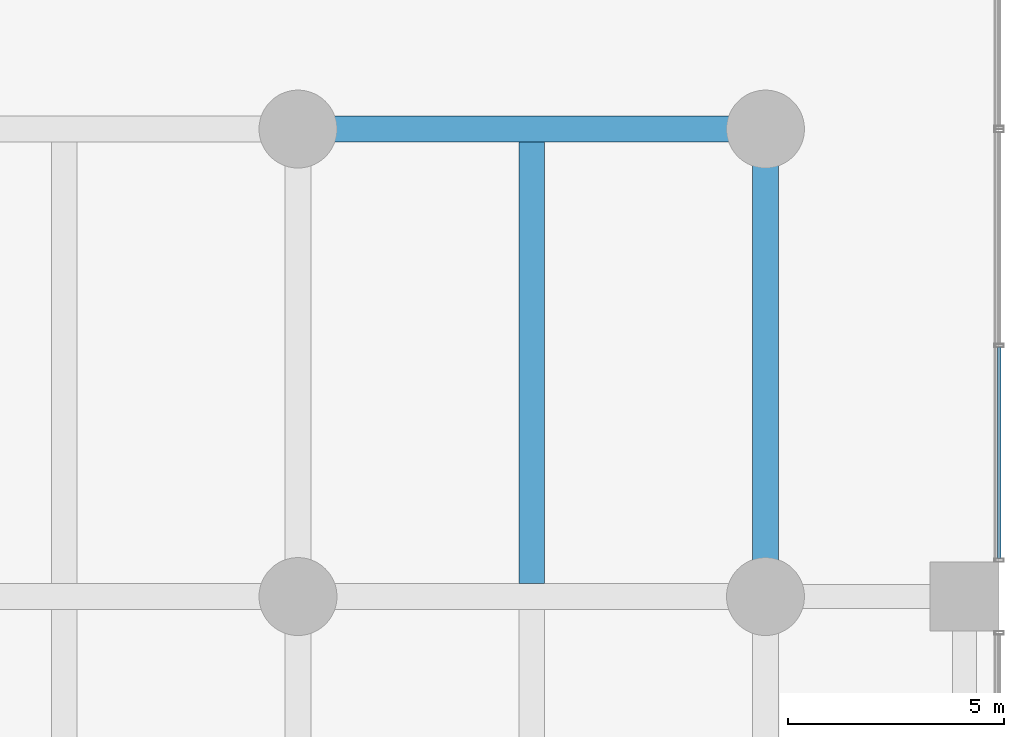
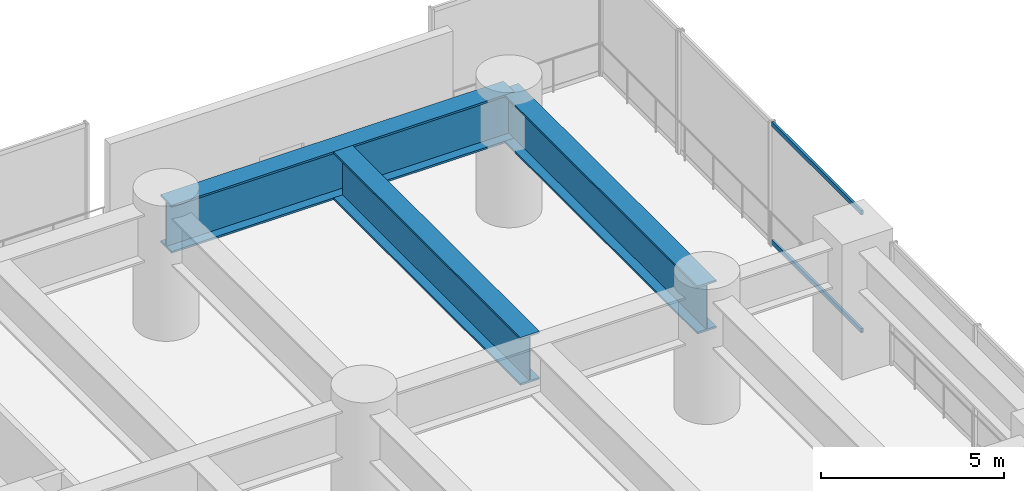
# One storey, part 24 of 37: 3 beams, 2 members, 1 element without a shape of its own.
"""IFC4 building model written with IfcOpenShell, lengths in metres."""

import ifcopenshell
import ifcopenshell.guid

model = None  # the IFC model being written
_history = None  # IfcOwnerHistory: only IFC2X3 demands one
_inside = {}  # id of a spatial element -> (the spatial element, [elements in it])
_under = {}  # id of a project, library or spatial element -> (it, [spatial elements below it])
_declared = {}  # id of a project -> (the project, [libraries it declares])
_typed = {}  # id of a type object -> (the type object, [elements of that type])
_made_of = {}  # id of a material, layer set ... -> (it, [elements and type objects made of it])


def new_model(schema):
    """Start an empty IFC model of exactly this schema.

    Asked for "IFC4X3", IfcOpenShell would pick the latest addendum, in which some entities
    have other attributes; the version numbers below select the first issue.
    IFC2X3 requires an IfcOwnerHistory on every rooted entity: one is made here for all.
    """
    global model, _history
    if schema == "IFC4X3":
        model = ifcopenshell.file(schema_version=(4, 3, 0, 0))
    else:
        model = ifcopenshell.file(schema=schema)
    _inside.clear()
    _under.clear()
    _declared.clear()
    _typed.clear()
    _made_of.clear()
    _history = None
    if model.schema == "IFC2X3":
        org = make("IfcOrganization", Name="unknown")
        user = make(
            "IfcPersonAndOrganization",
            ThePerson=make("IfcPerson", FamilyName="unknown"),
            TheOrganization=org,
        )
        app = make(
            "IfcApplication",
            ApplicationDeveloper=org,
            Version="unknown",
            ApplicationFullName="unknown",
            ApplicationIdentifier="unknown",
        )
        _history = make(
            "IfcOwnerHistory",
            OwningUser=user,
            OwningApplication=app,
            ChangeAction="ADDED",
            CreationDate=0,
        )
    return model


def make(cls, **values):
    """One entity of the class cls with the attributes given. An attribute that is None is left unset."""
    return model.create_entity(
        cls, **{name: value for name, value in values.items() if value is not None}
    )


def rooted(cls, **values):
    """An entity with a GlobalId (a new one), such as an element, a storey or a relation."""
    return make(cls, GlobalId=ifcopenshell.guid.new(), OwnerHistory=_history, **values)


def si_unit(unit_type, name, prefix=None):
    """IfcSIUnit, for example si_unit("LENGTHUNIT", "METRE", prefix="MILLI")."""
    return make("IfcSIUnit", UnitType=unit_type, Prefix=prefix, Name=name)


def assignment(units):
    """IfcUnitAssignment: the units of a project."""
    return None if units is None else make("IfcUnitAssignment", Units=units)


def point(xyz):
    """IfcCartesianPoint."""
    return None if xyz is None else make("IfcCartesianPoint", Coordinates=xyz)


def direction(xyz):
    """IfcDirection."""
    return None if xyz is None else make("IfcDirection", DirectionRatios=xyz)


def frame(location, z_axis=None, x_axis=None):
    """IfcAxis2Placement3D, a coordinate frame: its origin and axes. An axis left out is left unset."""
    return make(
        "IfcAxis2Placement3D",
        Location=point(location),
        Axis=direction(z_axis),
        RefDirection=direction(x_axis),
    )


def frame_2d(location, x_axis=None):
    """IfcAxis2Placement2D, a coordinate frame in the plane: its origin and x axis."""
    return make(
        "IfcAxis2Placement2D", Location=point(location), RefDirection=direction(x_axis)
    )


def origin():
    """The frame at (0, 0, 0) with its axes left unset."""
    return frame((0.0, 0.0, 0.0))


def origin_2d():
    """The frame at (0, 0) in the plane with its x axis left unset."""
    return frame_2d((0.0, 0.0))


def place(relative_to, where):
    """IfcLocalPlacement: puts the frame where relative to a parent placement (None: the world)."""
    return make(
        "IfcLocalPlacement", PlacementRelTo=relative_to, RelativePlacement=where
    )


def context(
    kind, dimensions, precision=None, world=None, true_north=None, identifier=None
):
    """IfcGeometricRepresentationContext, for example the 3D "Model" context."""
    return make(
        "IfcGeometricRepresentationContext",
        ContextIdentifier=identifier,
        ContextType=kind,
        CoordinateSpaceDimension=dimensions,
        Precision=precision,
        WorldCoordinateSystem=world,
        TrueNorth=true_north,
    )


def subcontext(parent, identifier, kind, view, scale=None):
    """IfcGeometricRepresentationSubContext, for example "Body" below "Model"."""
    return make(
        "IfcGeometricRepresentationSubContext",
        ContextIdentifier=identifier,
        ContextType=kind,
        ParentContext=parent,
        TargetScale=scale,
        TargetView=view,
    )


def project(units=None, contexts=None):
    """IfcProject with its units and contexts."""
    return rooted(
        "IfcProject",
        Name="project",
        RepresentationContexts=contexts,
        UnitsInContext=assignment(units),
    )


def spatial(cls, under=None, at=None, **own):
    """A site, building, storey or space (cls), placed at a placement, below another one or the project."""
    s = rooted(cls, ObjectPlacement=at, **own)
    if under is not None:
        _under.setdefault(under.id(), (under, []))[1].append(s)
    return s


def profile(cls, at=None, kind="AREA", **sizes):
    """A parametric profile (cls). Its sizes go by their IFC names, for example OverallWidth=200.0."""
    return make(cls, ProfileType=kind, Position=at, **sizes)


def hollow_rectangle(**sizes):
    """IfcRectangleHollowProfileDef."""
    return profile("IfcRectangleHollowProfileDef", **sizes)


def i_section(**sizes):
    """IfcIShapeProfileDef."""
    return profile("IfcIShapeProfileDef", **sizes)


def extrude(swept, where, along, depth):
    """IfcExtrudedAreaSolid: the profile swept, set in the frame where, extruded along a direction by depth."""
    return make(
        "IfcExtrudedAreaSolid",
        SweptArea=swept,
        Position=where,
        ExtrudedDirection=direction(along),
        Depth=depth,
    )


def shape(context_of_items, identifier, shape_type, items):
    """IfcShapeRepresentation: the items that make up one representation, for example the "Body"."""
    return make(
        "IfcShapeRepresentation",
        ContextOfItems=context_of_items,
        RepresentationIdentifier=identifier,
        RepresentationType=shape_type,
        Items=items,
    )


def material(Name=None, Category=None):
    """IfcMaterial."""
    return make("IfcMaterial", Name=Name, Category=Category)


def layer(
    of_material, thickness, ventilated=None, Name=None, Category=None, Priority=None
):
    """IfcMaterialLayer: one layer of a wall or slab, of a material (None: an air gap)."""
    return make(
        "IfcMaterialLayer",
        Material=of_material,
        LayerThickness=thickness,
        IsVentilated=ventilated,
        Name=Name,
        Category=Category,
        Priority=Priority,
    )


def layer_set(layers, Name=None):
    """IfcMaterialLayerSet."""
    return make("IfcMaterialLayerSet", MaterialLayers=layers, LayerSetName=Name)


def material_profile(
    of_material, cross_section, Name=None, Category=None, Priority=None
):
    """IfcMaterialProfile: a cross section and its material."""
    return make(
        "IfcMaterialProfile",
        Name=Name,
        Material=of_material,
        Profile=cross_section,
        Priority=Priority,
        Category=Category,
    )


def profile_set(profiles, Name=None, composite=None):
    """IfcMaterialProfileSet."""
    return make(
        "IfcMaterialProfileSet",
        Name=Name,
        MaterialProfiles=profiles,
        CompositeProfile=composite,
    )


def made_of(thing, what):
    """Note that an element or type object is made of a material, layer set ...; save() writes the relation."""
    if what is not None:
        _made_of.setdefault(what.id(), (what, []))[1].append(thing)
    return thing


def type_object(cls, material=None, **own):
    """A type object (cls), such as IfcWallType, which elements share."""
    return made_of(rooted(cls, **own), material)


def element(
    cls,
    number,
    at=None,
    inside=None,
    cuts=None,
    type_object=None,
    material=None,
    context=None,
    identifier="Body",
    shape_type=None,
    held_by="IfcProductDefinitionShape",
    body=None,
    shapes=None,
    **own,
):
    """One element of the class cls, such as IfcWall. Its Tag is "e" and its number.

    at: its placement. inside: the storey or other place that contains it. cuts: it is an
    opening in that element (IfcRelVoidsElement). A single representation is given by context,
    identifier, shape_type and body (its items); several are given by shapes. held_by: the class
    of the entity that holds the representations. save() writes the other relations.
    """
    e = rooted(cls, Tag="e%d" % number, ObjectPlacement=at, **own)
    if body is not None:
        shapes = [shape(context, identifier, shape_type, body)]
    if shapes is not None:
        e.Representation = make(held_by, Representations=shapes)
    if inside is not None:
        _inside.setdefault(inside.id(), (inside, []))[1].append(e)
    if cuts is not None:
        rooted(
            "IfcRelVoidsElement", RelatingBuildingElement=cuts, RelatedOpeningElement=e
        )
    if type_object is not None:
        _typed.setdefault(type_object.id(), (type_object, []))[1].append(e)
    return made_of(e, material)


def aggregate(whole, parts):
    """IfcRelAggregates: a whole, such as a stair, and the parts it consists of."""
    return rooted("IfcRelAggregates", RelatingObject=whole, RelatedObjects=parts)


def save(model, path):
    """Write the relations noted so far, then the file.

    IfcRelAggregates (storeys below a building ...), IfcRelContainedInSpatialStructure (elements
    in a storey), IfcRelDefinesByType, IfcRelAssociatesMaterial and IfcRelDeclares: one each for
    every whole, place, type object, material and project.
    """
    for whole, parts in _under.values():
        aggregate(whole, parts)
    for where, things in _inside.values():
        rooted(
            "IfcRelContainedInSpatialStructure",
            RelatedElements=things,
            RelatingStructure=where,
        )
    for kind, things in _typed.values():
        rooted("IfcRelDefinesByType", RelatedObjects=things, RelatingType=kind)
    for what, things in _made_of.values():
        rooted("IfcRelAssociatesMaterial", RelatedObjects=things, RelatingMaterial=what)
    for by, libraries in _declared.values():
        rooted("IfcRelDeclares", RelatingContext=by, RelatedDefinitions=libraries)
    model.write(path)


model = new_model("IFC4")

# Units and contexts
model_context = context("Model", 3, precision=1e-05, world=origin(), true_north=direction((0.0, 1.0)))
body_context = subcontext(model_context, "Body", "Model", "MODEL_VIEW")
ifc_project = project(units=[si_unit("LENGTHUNIT", "METRE"), si_unit("AREAUNIT", "SQUARE_METRE"), si_unit("VOLUMEUNIT", "CUBIC_METRE"), si_unit("PLANEANGLEUNIT", "RADIAN"), si_unit("MASSUNIT", "GRAM", prefix="KILO")], contexts=[model_context])

# Site, building, storey
site_placement = place(None, origin())
site = spatial("IfcSite", under=ifc_project, at=site_placement, CompositionType="ELEMENT")
building_placement = place(site_placement, origin())
building = spatial("IfcBuilding", under=site, at=building_placement, Name="Surkhivell Harbour Commons", CompositionType="ELEMENT")
storey_placement = place(building_placement, frame((0.0, 0.0, 18.0)))
storey = spatial("IfcBuildingStorey", under=building, at=storey_placement, Name="L04", CompositionType="ELEMENT", Elevation=18.0)

# Beams
ifc_material_1 = material(Name="Steel S460", Category="steel")
ifc_material_profile_1 = material_profile(ifc_material_1, i_section(OverallWidth=0.60009765625, OverallDepth=1.60009765625, WebThickness=0.035888671875, FlangeThickness=0.06494140625, at=origin_2d()), Name="WPG1600x600x296")
ifc_profile_set_1 = profile_set([ifc_material_profile_1], Name="Steel S460")
beam_type = type_object("IfcBeamType", Name="BM-TRF-1600", PredefinedType="BEAM", material=ifc_profile_set_1)
beam_1_placement = place(storey_placement, frame((21.60009765625, 21.60009765625, 3.280029296875), z_axis=(1.0, 0.0, 0.0), x_axis=(0.0, 1.0, 0.0)))
element("IfcBeam", 1, at=beam_1_placement, inside=storey, type_object=beam_type, Name="L04 Transfer Girder (21.6,21.6)", PredefinedType="BEAM", context=body_context, shape_type="SweptSolid", body=[
    extrude(i_section(OverallWidth=0.60009765625, OverallDepth=1.60009765625, WebThickness=0.035888671875, FlangeThickness=0.06494140625, at=origin_2d()), origin(), (0.0, 0.0, 1.0), 10.7998046875),
])
beam_2_placement = place(storey_placement, frame((32.39990234375, 10.800048828125, 3.280029296875), z_axis=(0.0, 1.0, 0.0), x_axis=(-1.0, 0.0, 0.0)))
element("IfcBeam", 2, at=beam_2_placement, inside=storey, type_object=beam_type, Name="L04 Transfer Girder (32.4,10.8)", PredefinedType="BEAM", context=body_context, shape_type="SweptSolid", body=[
    extrude(i_section(OverallWidth=0.60009765625, OverallDepth=1.60009765625, WebThickness=0.035888671875, FlangeThickness=0.06494140625, at=origin_2d()), origin(), (0.0, 0.0, 1.0), 10.800048828125),
])
beam_3_placement = place(storey_placement, frame((27.0, 11.097900390625, 3.280029296875), z_axis=(0.0, 1.0, 0.0), x_axis=(-1.0, 0.0, 0.0)))
element("IfcBeam", 3, at=beam_3_placement, inside=storey, type_object=beam_type, Name="L04 Secondary Transfer Girder (27.0,10.8)", PredefinedType="BEAM", context=body_context, shape_type="SweptSolid", body=[
    extrude(i_section(OverallWidth=0.60009765625, OverallDepth=1.60009765625, WebThickness=0.035888671875, FlangeThickness=0.06494140625, at=origin_2d()), origin(), (0.0, 0.0, 1.0), 10.2041015625),
])

# Curtain wall, members
ifc_material_2 = material(Name="Anodised pale-metal aluminium and insulated glazing", Category="aluminium")
ifc_layer = layer(ifc_material_2, 0.239990234375)
ifc_layer_set = layer_set([ifc_layer], Name="Anodised pale-metal aluminium and insulated glazing")
curtain_wall_type = type_object("IfcCurtainWallType", Name="CW-SYS-POD", PredefinedType="NOTDEFINED", material=ifc_layer_set)
curtain_wall_placement = place(storey_placement, origin())
curtain_wall = element("IfcCurtainWall", 4, at=curtain_wall_placement, inside=storey, type_object=curtain_wall_type, Name="L04 Curtain Wall CW-L04-E5", PredefinedType="NOTDEFINED")
ifc_material_3 = material(Name="Anodised pale-metal aluminium alloy 6063-T6", Category="aluminium")
ifc_material_profile_2 = material_profile(ifc_material_3, hollow_rectangle(XDim=0.074951171875, YDim=0.14990234375, WallThickness=0.00341796875, at=origin_2d()), Name="ALU-TRAN-75x150")
ifc_profile_set_2 = profile_set([ifc_material_profile_2], Name="Anodised pale-metal aluminium alloy 6063-T6")
member_type = type_object("IfcMemberType", Name="CWT-150", PredefinedType="USERDEFINED", material=ifc_profile_set_2)
member_1_placement = place(storey_placement, frame((37.800048828125, 16.5634765625, 0.074951171875), z_axis=(0.0, -1.0, 0.0), x_axis=(1.0, 0.0, 0.0)))
member_1 = element("IfcMember", 5, at=member_1_placement, type_object=member_type, Name="CW-POD transom 2.1", ObjectType="TRANSOM", PredefinedType="USERDEFINED", context=body_context, shape_type="SweptSolid", body=[
    extrude(hollow_rectangle(XDim=0.074951171875, YDim=0.14990234375, WallThickness=0.00341796875, at=origin_2d()), origin(), (0.0, 0.0, 1.0), 4.886474609375),
])
member_2_placement = place(storey_placement, frame((37.800048828125, 16.5634765625, 4.0048828125), z_axis=(0.0, -1.0, 0.0), x_axis=(1.0, 0.0, 0.0)))
member_2 = element("IfcMember", 6, at=member_2_placement, type_object=member_type, Name="CW-POD transom 2.2", ObjectType="TRANSOM", PredefinedType="USERDEFINED", context=body_context, shape_type="SweptSolid", body=[
    extrude(hollow_rectangle(XDim=0.074951171875, YDim=0.14990234375, WallThickness=0.00341796875, at=origin_2d()), origin(), (0.0, 0.0, 1.0), 4.886474609375),
])
aggregate(curtain_wall, [member_1, member_2])

save(model, "model.ifc")
